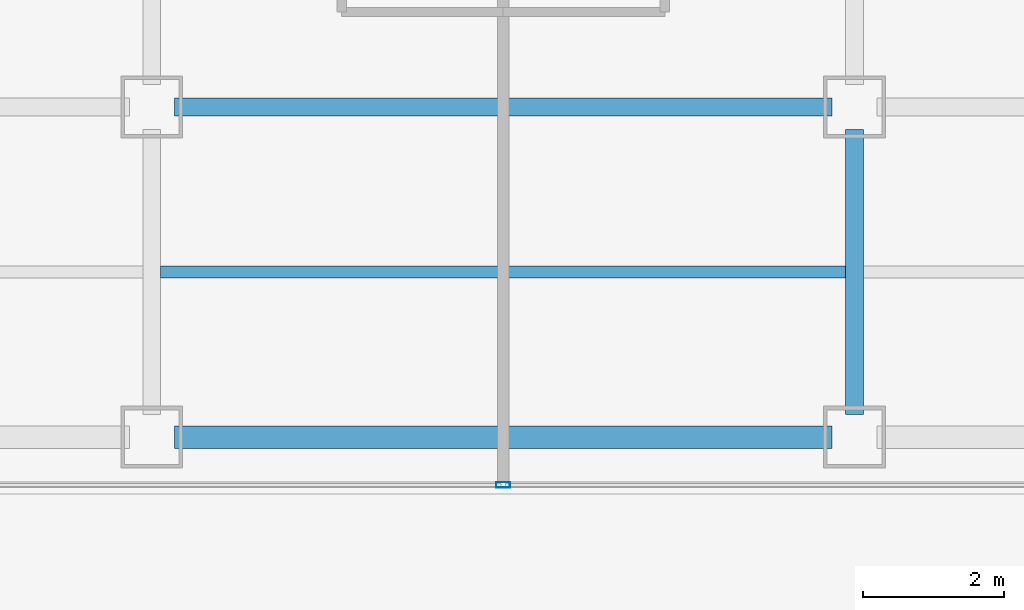
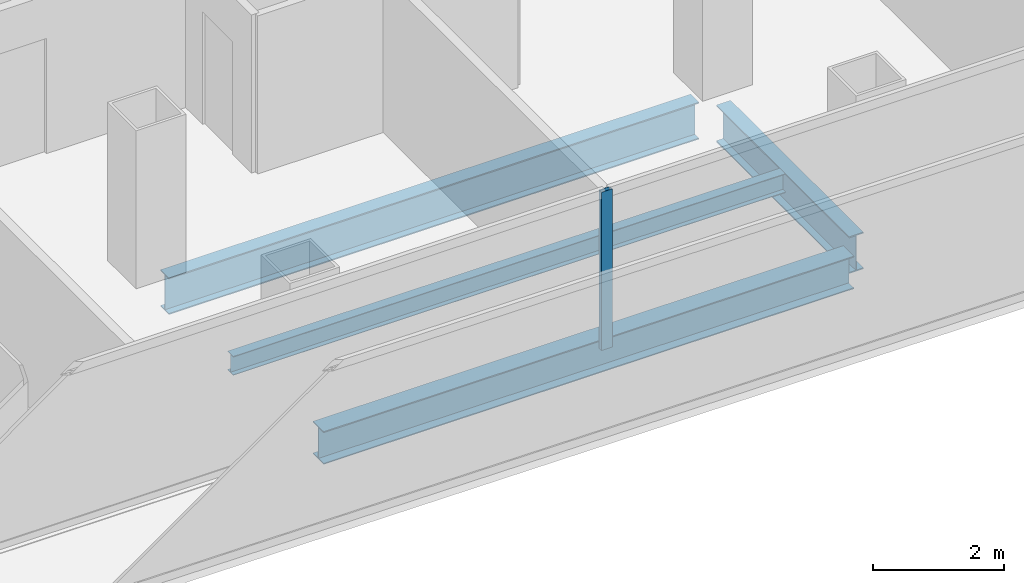
# One storey, part 4 of 21: 4 beams, 1 member, 1 element without a shape of its own.
"""IFC4 building model written with IfcOpenShell, lengths in metres."""

from ifc_helpers import new_model, si_unit, direction, frame, origin, origin_2d, place, context, subcontext, project, spatial, hollow_rectangle, i_section, extrude, source, transform, mapped, material, layer, layer_set, material_profile, profile_set, type_object, element, aggregate, save


model = new_model("IFC4")

# Units and contexts
model_context = context("Model", 3, precision=1e-05, world=origin(), true_north=direction((0.0, 1.0)))
body_context = subcontext(model_context, "Body", "Model", "MODEL_VIEW")
ifc_project = project(units=[si_unit("LENGTHUNIT", "METRE"), si_unit("AREAUNIT", "SQUARE_METRE"), si_unit("VOLUMEUNIT", "CUBIC_METRE"), si_unit("PLANEANGLEUNIT", "RADIAN"), si_unit("MASSUNIT", "GRAM", prefix="KILO")], contexts=[model_context])

# Site, building, storey
site_placement = place(None, origin())
site = spatial("IfcSite", under=ifc_project, at=site_placement, CompositionType="ELEMENT")
building_placement = place(site_placement, origin())
building = spatial("IfcBuilding", under=site, at=building_placement, Name="Kolveth Station Tower", CompositionType="ELEMENT")
storey_placement = place(building_placement, frame((0.0, 0.0, 92.699951171875)))
storey = spatial("IfcBuildingStorey", under=building, at=storey_placement, Name="L24", CompositionType="ELEMENT", Elevation=92.699951171875)

# Beams
ifc_material_1 = material(Name="Steel S355", Category="steel")
ifc_material_profile_1 = material_profile(ifc_material_1, i_section(OverallWidth=0.323974609375, OverallDepth=0.611083984375, WebThickness=0.0126953125, FlangeThickness=0.01904296875, at=origin_2d()), Name="W610x155")
ifc_profile_set_1 = profile_set([ifc_material_profile_1], Name="Steel S355")
beam_type_1 = type_object("IfcBeamType", Name="Beam_SP2", PredefinedType="SPANDREL", material=ifc_profile_set_1)
shared_shape_1 = source(origin(), body_context, "Body", "SweptSolid", [
    extrude(i_section(OverallWidth=0.323974609375, OverallDepth=0.611083984375, WebThickness=0.0126953125, FlangeThickness=0.01904296875, at=origin_2d()), origin(), (0.0, 0.0, 1.0), 9.35986328125),
])
beam_1_placement = place(storey_placement, frame((18.820068359375, 0.800048828125, -0.555419921875), z_axis=(1.0, 0.0, 0.0), x_axis=(0.0, 1.0, 0.0)))
element("IfcBeam", 1, at=beam_1_placement, inside=storey, type_object=beam_type_1, Name="L24 Perimeter Spandrel BM-L24-PS-3", PredefinedType="SPANDREL", context=body_context, shape_type="MappedRepresentation", body=[
    mapped(shared_shape_1, transform((0.0, 0.0, 0.0), x_axis=(1.0, 0.0, 0.0), y_axis=(0.0, 1.0, 0.0), z_axis=(0.0, 0.0, 1.0), scale=1.0)),
])
ifc_material_profile_2 = material_profile(ifc_material_1, i_section(OverallWidth=0.25390625, OverallDepth=0.68798828125, WebThickness=0.01318359375, FlangeThickness=0.02099609375, at=origin_2d()), Name="W690x152")
ifc_profile_set_2 = profile_set([ifc_material_profile_2], Name="Steel S355")
beam_type_2 = type_object("IfcBeamType", Name="Beam_B4", PredefinedType="BEAM", material=ifc_profile_set_2)
shared_shape_2 = source(origin(), body_context, "Body", "SweptSolid", [
    extrude(i_section(OverallWidth=0.25390625, OverallDepth=0.68798828125, WebThickness=0.01318359375, FlangeThickness=0.02099609375, at=origin_2d()), origin(), (0.0, 0.0, 1.0), 9.35986328125),
])
beam_2_placement = place(storey_placement, frame((18.820068359375, 5.5, -0.593994140625), z_axis=(1.0, 0.0, 0.0), x_axis=(0.0, 1.0, 0.0)))
element("IfcBeam", 2, at=beam_2_placement, inside=storey, type_object=beam_type_2, Name="L24 Primary Girder BM-L24-GY55-4", PredefinedType="BEAM", context=body_context, shape_type="MappedRepresentation", body=[
    mapped(shared_shape_2, transform((0.0, 0.0, 0.0), x_axis=(1.0, 0.0, 0.0), y_axis=(0.0, 1.0, 0.0), z_axis=(0.0, 0.0, 1.0), scale=1.0)),
])
shared_shape_3 = source(origin(), body_context, "Body", "SweptSolid", [
    extrude(i_section(OverallWidth=0.25390625, OverallDepth=0.68798828125, WebThickness=0.01318359375, FlangeThickness=0.02099609375, at=origin_2d()), origin(), (0.0, 0.0, 1.0), 4.059814453125),
])
beam_3_placement = place(storey_placement, frame((28.5, 1.1201171875, -0.593994140625), z_axis=(0.0, 1.0, 0.0), x_axis=(-1.0, 0.0, 0.0)))
element("IfcBeam", 3, at=beam_3_placement, inside=storey, type_object=beam_type_2, Name="L24 Primary Girder BM-L24-GX285-1", PredefinedType="BEAM", context=body_context, shape_type="MappedRepresentation", body=[
    mapped(shared_shape_3, transform((0.0, 0.0, 0.0), x_axis=(1.0, 0.0, 0.0), y_axis=(0.0, 1.0, 0.0), z_axis=(0.0, 0.0, 1.0), scale=1.0)),
])
ifc_material_profile_3 = material_profile(ifc_material_1, i_section(OverallWidth=0.1708984375, OverallDepth=0.35205078125, WebThickness=0.0068359375, FlangeThickness=0.009765625, at=origin_2d()), Name="W360x44")
ifc_profile_set_3 = profile_set([ifc_material_profile_3], Name="Steel S355")
beam_type_3 = type_object("IfcBeamType", Name="Beam_J2", PredefinedType="JOIST", material=ifc_profile_set_3)
shared_shape_4 = source(origin(), body_context, "Body", "SweptSolid", [
    extrude(i_section(OverallWidth=0.1708984375, OverallDepth=0.35205078125, WebThickness=0.0068359375, FlangeThickness=0.009765625, at=origin_2d()), origin(), (0.0, 0.0, 1.0), 9.75),
])
beam_4_placement = place(storey_placement, frame((18.625, 3.14990234375, -0.426025390625), z_axis=(1.0, 0.0, 0.0), x_axis=(0.0, 1.0, 0.0)))
element("IfcBeam", 4, at=beam_4_placement, inside=storey, type_object=beam_type_3, Name="L24 Secondary Joist JST-L24-4-1", PredefinedType="JOIST", context=body_context, shape_type="MappedRepresentation", body=[
    mapped(shared_shape_4, transform((0.0, 0.0, 0.0), x_axis=(1.0, 0.0, 0.0), y_axis=(0.0, 1.0, 0.0), z_axis=(0.0, 0.0, 1.0), scale=1.0)),
])

# Curtain wall, member
ifc_material_2 = material(Name="Aluminium 6063-T6 and low-E dark glass", Category="aluminium")
ifc_layer = layer(ifc_material_2, 0.18994140625)
ifc_layer_set = layer_set([ifc_layer], Name="Aluminium 6063-T6 and low-E dark glass")
curtain_wall_type = type_object("IfcCurtainWallType", Name="CurtainWall_CW-Z2", PredefinedType="NOTDEFINED", material=ifc_layer_set)
curtain_wall_placement = place(storey_placement, origin())
curtain_wall = element("IfcCurtainWall", 5, at=curtain_wall_placement, inside=storey, type_object=curtain_wall_type, Name="L24 Inner Thermal Curtain Wall 12", PredefinedType="NOTDEFINED")
ifc_material_3 = material(Name="Black anodized aluminium 6063-T6", Category="aluminium")
ifc_material_profile_4 = material_profile(ifc_material_3, hollow_rectangle(XDim=0.080078125, YDim=0.199951171875, WallThickness=0.0048828125, at=origin_2d()), Name="ALU-80x200x5")
ifc_profile_set_4 = profile_set([ifc_material_profile_4], Name="Black anodized aluminium 6063-T6")
member_type = type_object("IfcMemberType", Name="Mullion_ML2", PredefinedType="MULLION", material=ifc_profile_set_4)
shared_shape_5 = source(origin(), body_context, "Body", "SweptSolid", [
    extrude(hollow_rectangle(XDim=0.080078125, YDim=0.199951171875, WallThickness=0.0048828125, at=origin_2d()), origin(), (0.0, 0.0, 1.0), 2.949951171875),
])
member_placement = place(storey_placement, frame((23.5, 0.1201171875, 0.0), z_axis=(0.0, 0.0, 1.0), x_axis=(0.0, 1.0, 0.0)))
member = element("IfcMember", 6, at=member_placement, type_object=member_type, Name="CW-Z2 mullion 2", PredefinedType="MULLION", context=body_context, shape_type="MappedRepresentation", body=[
    mapped(shared_shape_5, transform((0.0, 0.0, 0.0), x_axis=(1.0, 0.0, 0.0), y_axis=(0.0, 1.0, 0.0), z_axis=(0.0, 0.0, 1.0), scale=1.0)),
])
aggregate(curtain_wall, [member])

save(model, "model.ifc")
